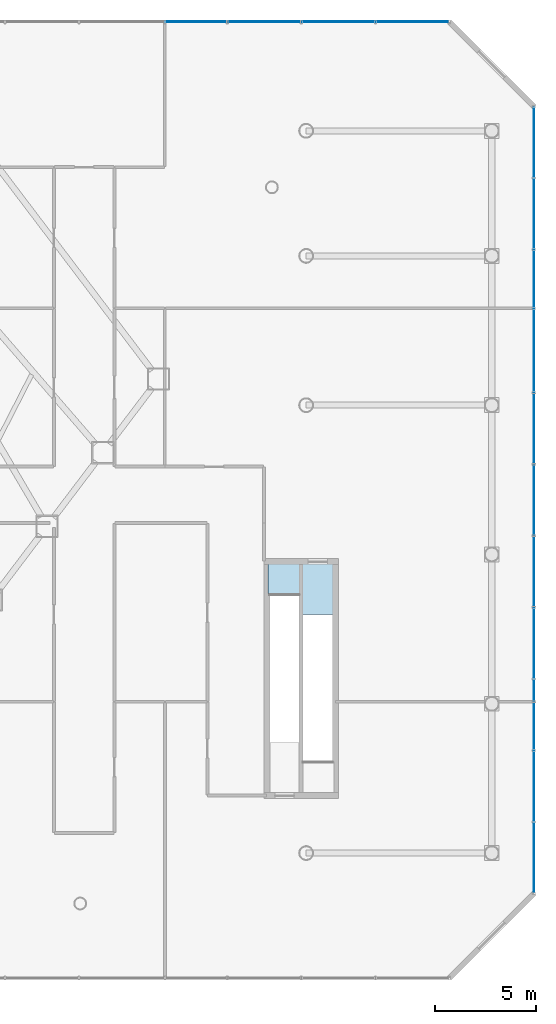
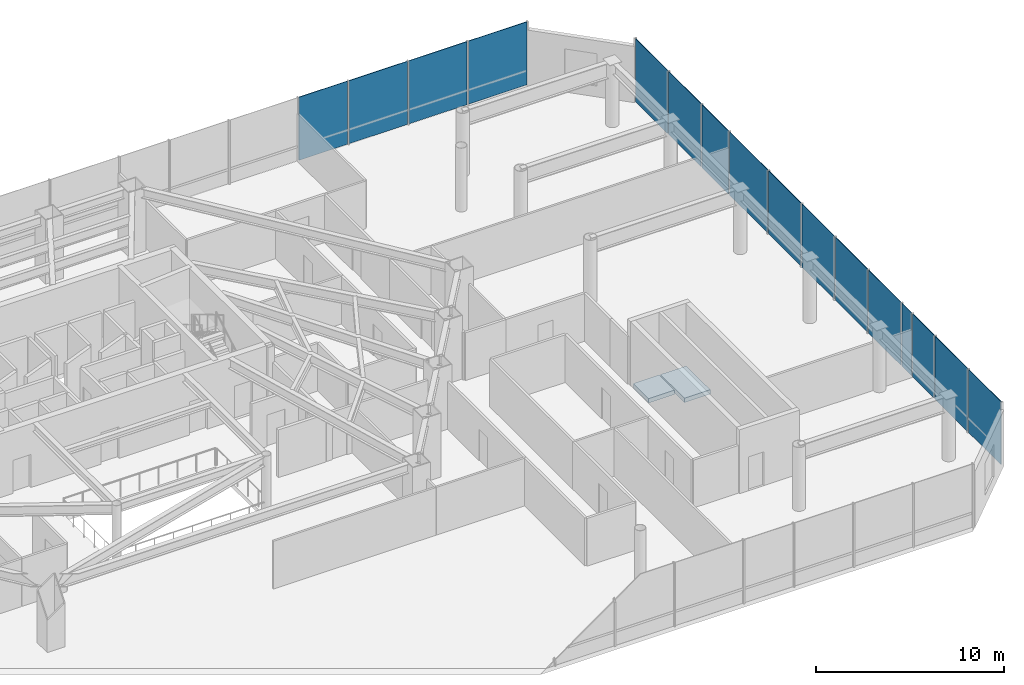
# One storey, part 37 of 43: 16 plates, 2 slabs, 2 elements without a shape of their own.
"""IFC4 building model written with IfcOpenShell, lengths in metres."""

from ifc_helpers import new_model, si_unit, direction, frame, origin, origin_2d, place, context, subcontext, project, spatial, polyline, rectangle, outline, extrude, material, layer, layer_set, type_object, element, aggregate, save


model = new_model("IFC4")

# Units and contexts
model_context = context("Model", 3, precision=1e-05, world=origin(), true_north=direction((0.0, 1.0)))
body_context = subcontext(model_context, "Body", "Model", "MODEL_VIEW")
ifc_project = project(units=[si_unit("LENGTHUNIT", "METRE"), si_unit("AREAUNIT", "SQUARE_METRE"), si_unit("VOLUMEUNIT", "CUBIC_METRE"), si_unit("PLANEANGLEUNIT", "RADIAN"), si_unit("MASSUNIT", "GRAM", prefix="KILO")], contexts=[model_context])

# Site, building, storey
site_placement = place(None, origin())
site = spatial("IfcSite", under=ifc_project, at=site_placement, CompositionType="ELEMENT")
building_placement = place(site_placement, origin())
building = spatial("IfcBuilding", under=site, at=building_placement, Name="Zarrinselat Tower", CompositionType="ELEMENT")
storey_placement = place(building_placement, frame((0.0, 0.0, 5.10009765625)))
storey = spatial("IfcBuildingStorey", under=building, at=storey_placement, Name="L01", CompositionType="ELEMENT", Elevation=5.10009765625)

# Curtain wall, plates
ifc_material_1 = material(Name="Extruded Aluminium Alloy EN AW-6063 T6", Category="aluminium")
ifc_layer_1 = layer(ifc_material_1, 0.2099609375)
ifc_layer_set_1 = layer_set([ifc_layer_1], Name="Extruded Aluminium Alloy EN AW-6063 T6")
curtain_wall_type = type_object("IfcCurtainWallType", Name="CWS-POD", PredefinedType="NOTDEFINED", material=ifc_layer_set_1)
curtain_wall_1_placement = place(storey_placement, origin())
curtain_wall_1 = element("IfcCurtainWall", 1, at=curtain_wall_1_placement, inside=storey, type_object=curtain_wall_type, Name="L01 Unitised Curtain Wall CW-L01-F3", PredefinedType="NOTDEFINED")
ifc_material_2 = material(Name="Double Low-E Laminated Solar Glass", Category="glass")
ifc_layer_2 = layer(ifc_material_2, 0.035888671875)
ifc_layer_set_2 = layer_set([ifc_layer_2], Name="Double Low-E Laminated Solar Glass")
plate_type = type_object("IfcPlateType", Name="PLT-CW-GL36", PredefinedType="CURTAIN_PANEL", material=ifc_layer_set_2)
plate_1_placement = place(storey_placement, frame((79.300048828125, 10.772705078125, 0.019775390625), z_axis=(0.0, 0.0, 1.0), x_axis=(0.0, 1.0, 0.0)))
plate_1 = element("IfcPlate", 2, at=plate_1_placement, type_object=plate_type, Name="CW-L01-F3 Vision Glass Panel 1", PredefinedType="CURTAIN_PANEL", context=body_context, shape_type="SweptSolid", body=[
    extrude(rectangle(XDim=3.445556640625, YDim=0.035888671875, at=origin_2d()), origin(), (0.0, 0.0, 1.0), 4.10009765625),
])
plate_2_placement = place(storey_placement, frame((79.300048828125, 14.318115234375, 0.019775390625), z_axis=(0.0, 0.0, 1.0), x_axis=(0.0, 1.0, 0.0)))
plate_2 = element("IfcPlate", 3, at=plate_2_placement, type_object=plate_type, Name="CW-L01-F3 Vision Glass Panel 2", PredefinedType="CURTAIN_PANEL", context=body_context, shape_type="SweptSolid", body=[
    extrude(rectangle(XDim=3.445556640625, YDim=0.035888671875, at=origin_2d()), origin(), (0.0, 0.0, 1.0), 4.10009765625),
])
plate_3_placement = place(storey_placement, frame((79.300048828125, 17.29541015625, 0.019775390625), z_axis=(0.0, 0.0, 1.0), x_axis=(0.0, 1.0, 0.0)))
plate_3 = element("IfcPlate", 4, at=plate_3_placement, type_object=plate_type, Name="CW-L01-F3 Vision Glass Panel 3", PredefinedType="CURTAIN_PANEL", context=body_context, shape_type="SweptSolid", body=[
    extrude(rectangle(XDim=2.30908203125, YDim=0.035888671875, at=origin_2d()), origin(), (0.0, 0.0, 1.0), 4.10009765625),
])
plate_4_placement = place(storey_placement, frame((79.300048828125, 19.068115234375, 0.019775390625), z_axis=(0.0, 0.0, 1.0), x_axis=(0.0, 1.0, 0.0)))
plate_4 = element("IfcPlate", 5, at=plate_4_placement, type_object=plate_type, Name="CW-L01-F3 Vision Glass Panel 4", PredefinedType="CURTAIN_PANEL", context=body_context, shape_type="SweptSolid", body=[
    extrude(rectangle(XDim=1.036376953125, YDim=0.035888671875, at=origin_2d()), origin(), (0.0, 0.0, 1.0), 4.10009765625),
])
plate_5_placement = place(storey_placement, frame((79.300048828125, 21.4091796875, 0.019775390625), z_axis=(0.0, 0.0, 1.0), x_axis=(0.0, 1.0, 0.0)))
plate_5 = element("IfcPlate", 6, at=plate_5_placement, type_object=plate_type, Name="CW-L01-F3 Vision Glass Panel 5", PredefinedType="CURTAIN_PANEL", context=body_context, shape_type="SweptSolid", body=[
    extrude(rectangle(XDim=3.445556640625, YDim=0.035888671875, at=origin_2d()), origin(), (0.0, 0.0, 1.0), 4.10009765625),
])
plate_6_placement = place(storey_placement, frame((79.300048828125, 24.95458984375, 0.019775390625), z_axis=(0.0, 0.0, 1.0), x_axis=(0.0, 1.0, 0.0)))
plate_6 = element("IfcPlate", 7, at=plate_6_placement, type_object=plate_type, Name="CW-L01-F3 Vision Glass Panel 6", PredefinedType="CURTAIN_PANEL", context=body_context, shape_type="SweptSolid", body=[
    extrude(rectangle(XDim=3.445556640625, YDim=0.035888671875, at=origin_2d()), origin(), (0.0, 0.0, 1.0), 4.10009765625),
])
plate_7_placement = place(storey_placement, frame((79.300048828125, 28.5, 0.019775390625), z_axis=(0.0, 0.0, 1.0), x_axis=(0.0, 1.0, 0.0)))
plate_7 = element("IfcPlate", 8, at=plate_7_placement, type_object=plate_type, Name="CW-L01-F3 Vision Glass Panel 7", PredefinedType="CURTAIN_PANEL", context=body_context, shape_type="SweptSolid", body=[
    extrude(rectangle(XDim=3.445556640625, YDim=0.035888671875, at=origin_2d()), origin(), (0.0, 0.0, 1.0), 4.10009765625),
])
plate_8_placement = place(storey_placement, frame((79.300048828125, 32.04541015625, 0.019775390625), z_axis=(0.0, 0.0, 1.0), x_axis=(0.0, 1.0, 0.0)))
plate_8 = element("IfcPlate", 9, at=plate_8_placement, type_object=plate_type, Name="CW-L01-F3 Vision Glass Panel 8", PredefinedType="CURTAIN_PANEL", context=body_context, shape_type="SweptSolid", body=[
    extrude(rectangle(XDim=3.445556640625, YDim=0.035888671875, at=origin_2d()), origin(), (0.0, 0.0, 1.0), 4.10009765625),
])
plate_9_placement = place(storey_placement, frame((79.300048828125, 35.9091796875, 0.019775390625), z_axis=(0.0, 0.0, 1.0), x_axis=(0.0, 1.0, 0.0)))
plate_9 = element("IfcPlate", 10, at=plate_9_placement, type_object=plate_type, Name="CW-L01-F3 Vision Glass Panel 9", PredefinedType="CURTAIN_PANEL", context=body_context, shape_type="SweptSolid", body=[
    extrude(rectangle(XDim=4.081787109375, YDim=0.035888671875, at=origin_2d()), origin(), (0.0, 0.0, 1.0), 4.10009765625),
])
plate_10_placement = place(storey_placement, frame((79.300048828125, 39.45458984375, 0.019775390625), z_axis=(0.0, 0.0, 1.0), x_axis=(0.0, 1.0, 0.0)))
plate_10 = element("IfcPlate", 11, at=plate_10_placement, type_object=plate_type, Name="CW-L01-F3 Vision Glass Panel 10", PredefinedType="CURTAIN_PANEL", context=body_context, shape_type="SweptSolid", body=[
    extrude(rectangle(XDim=2.80908203125, YDim=0.035888671875, at=origin_2d()), origin(), (0.0, 0.0, 1.0), 4.10009765625),
])
plate_11_placement = place(storey_placement, frame((79.300048828125, 42.681884765625, 0.019775390625), z_axis=(0.0, 0.0, 1.0), x_axis=(0.0, 1.0, 0.0)))
plate_11 = element("IfcPlate", 12, at=plate_11_placement, type_object=plate_type, Name="CW-L01-F3 Vision Glass Panel 11", PredefinedType="CURTAIN_PANEL", context=body_context, shape_type="SweptSolid", body=[
    extrude(rectangle(XDim=3.445556640625, YDim=0.035888671875, at=origin_2d()), origin(), (0.0, 0.0, 1.0), 4.10009765625),
])
plate_12_placement = place(storey_placement, frame((79.300048828125, 46.227294921875, 0.019775390625), z_axis=(0.0, 0.0, 1.0), x_axis=(0.0, 1.0, 0.0)))
plate_12 = element("IfcPlate", 13, at=plate_12_placement, type_object=plate_type, Name="CW-L01-F3 Vision Glass Panel 12", PredefinedType="CURTAIN_PANEL", context=body_context, shape_type="SweptSolid", body=[
    extrude(rectangle(XDim=3.445556640625, YDim=0.035888671875, at=origin_2d()), origin(), (0.0, 0.0, 1.0), 4.10009765625),
])
aggregate(curtain_wall_1, [plate_1, plate_2, plate_3, plate_4, plate_5, plate_6, plate_7, plate_8, plate_9, plate_10, plate_11, plate_12])

curtain_wall_2_placement = place(storey_placement, origin())
curtain_wall_2 = element("IfcCurtainWall", 14, at=curtain_wall_2_placement, inside=storey, type_object=curtain_wall_type, Name="L01 Unitised Curtain Wall CW-L01-F5", PredefinedType="NOTDEFINED")
plate_13_placement = place(storey_placement, frame((73.264892578125, 52.199951171875, 0.019775390625), z_axis=(0.0, 0.0, 1.0), x_axis=(-1.0, 0.0, 0.0)))
plate_13 = element("IfcPlate", 15, at=plate_13_placement, type_object=plate_type, Name="CW-L01-F5 Vision Glass Panel 1", PredefinedType="CURTAIN_PANEL", context=body_context, shape_type="SweptSolid", body=[
    extrude(rectangle(XDim=3.570068359375, YDim=0.035888671875, at=origin_2d()), origin(), (0.0, 0.0, 1.0), 4.10009765625),
])
plate_14_placement = place(storey_placement, frame((69.594970703125, 52.199951171875, 0.019775390625), z_axis=(0.0, 0.0, 1.0), x_axis=(-1.0, 0.0, 0.0)))
plate_14 = element("IfcPlate", 16, at=plate_14_placement, type_object=plate_type, Name="CW-L01-F5 Vision Glass Panel 2", PredefinedType="CURTAIN_PANEL", context=body_context, shape_type="SweptSolid", body=[
    extrude(rectangle(XDim=3.570068359375, YDim=0.035888671875, at=origin_2d()), origin(), (0.0, 0.0, 1.0), 4.10009765625),
])
plate_15_placement = place(storey_placement, frame((65.925048828125, 52.199951171875, 0.019775390625), z_axis=(0.0, 0.0, 1.0), x_axis=(-1.0, 0.0, 0.0)))
plate_15 = element("IfcPlate", 17, at=plate_15_placement, type_object=plate_type, Name="CW-L01-F5 Vision Glass Panel 3", PredefinedType="CURTAIN_PANEL", context=body_context, shape_type="SweptSolid", body=[
    extrude(rectangle(XDim=3.570068359375, YDim=0.035888671875, at=origin_2d()), origin(), (0.0, 0.0, 1.0), 4.10009765625),
])
plate_16_placement = place(storey_placement, frame((62.544921875, 52.199951171875, 0.019775390625), z_axis=(0.0, 0.0, 1.0), x_axis=(-1.0, 0.0, 0.0)))
plate_16 = element("IfcPlate", 18, at=plate_16_placement, type_object=plate_type, Name="CW-L01-F5 Vision Glass Panel 4", PredefinedType="CURTAIN_PANEL", context=body_context, shape_type="SweptSolid", body=[
    extrude(rectangle(XDim=2.989990234375, YDim=0.035888671875, at=origin_2d()), origin(), (0.0, 0.0, 1.0), 4.10009765625),
])
aggregate(curtain_wall_2, [plate_13, plate_14, plate_15, plate_16])

# Slabs
ifc_material_3 = material(Name="Concrete C40/50", Category="concrete")
ifc_layer_3 = layer(ifc_material_3, 0.280029296875)
ifc_layer_set_3 = layer_set([ifc_layer_3], Name="Concrete C40/50")
slab_type = type_object("IfcSlabType", Name="SLB-FLOOR-280-SL-PD280", PredefinedType="FLOOR", material=ifc_layer_set_3)
slab_1_placement = place(storey_placement, frame((0.0, 0.0, -0.280029296875)))
element("IfcSlab", 19, at=slab_1_placement, inside=storey, type_object=slab_type, Name="L01 Stair ST-4-FL3 Structural Floor Landing", PredefinedType="FLOOR", context=body_context, shape_type="SweptSolid", body=[
    extrude(outline(polyline([(69.3798828125, 22.830078125), (69.3798828125, 25.3798828125), (67.7900390625, 25.3798828125), (67.7900390625, 22.830078125), (69.3798828125, 22.830078125)])), origin(), (0.0, 0.0, 1.0), 0.280029296875),
])
slab_2_placement = place(storey_placement, frame((0.0, 0.0, -0.280029296875)))
element("IfcSlab", 20, at=slab_2_placement, inside=storey, type_object=slab_type, Name="L01 Stair ST-4-FL4 Structural Floor Landing", PredefinedType="FLOOR", context=body_context, shape_type="SweptSolid", body=[
    extrude(outline(polyline([(67.7099609375, 23.75), (67.7099609375, 25.3798828125), (66.1201171875, 25.3798828125), (66.1201171875, 23.75), (67.7099609375, 23.75)])), origin(), (0.0, 0.0, 1.0), 0.280029296875),
])

save(model, "model.ifc")
